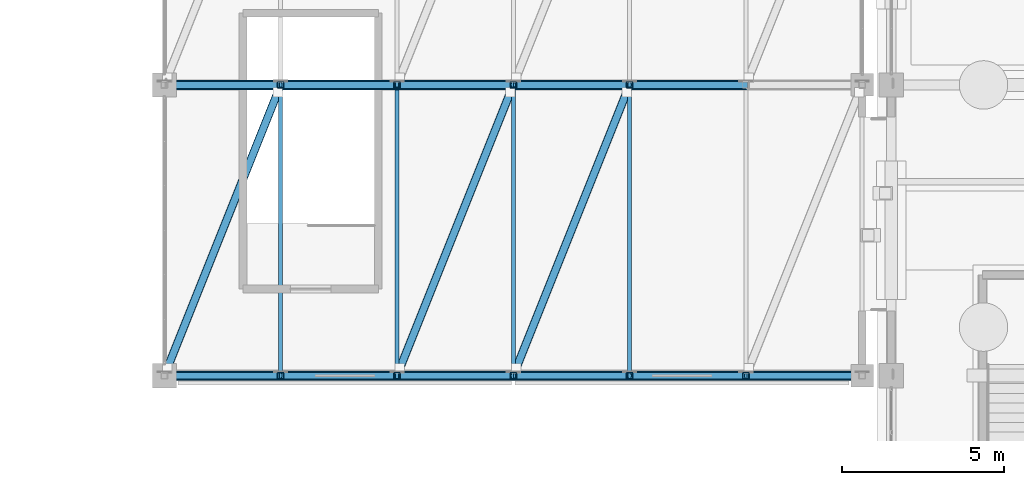
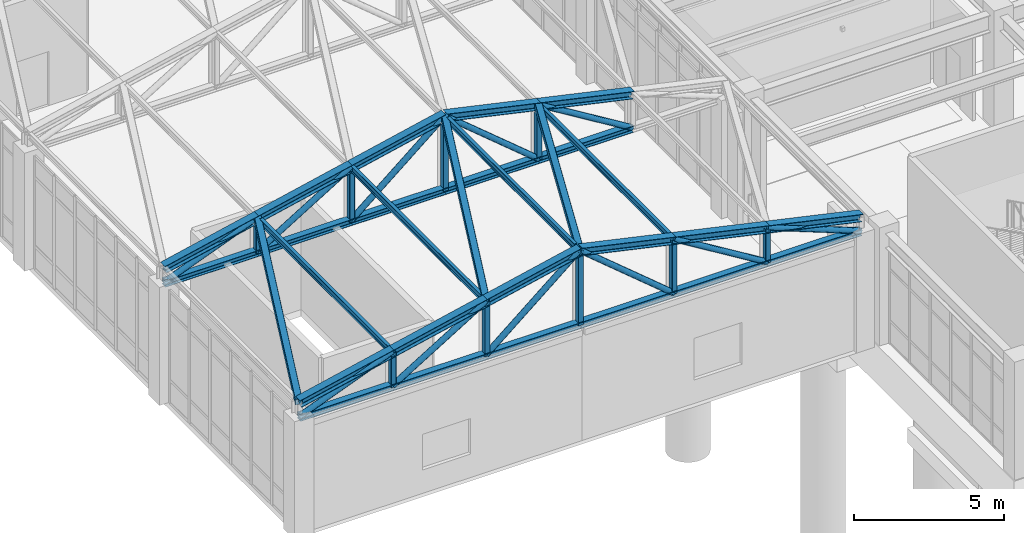
# One storey, part 41 of 139: 38 members, 11 beams.
"""IFC4 building model written with IfcOpenShell, lengths in metres."""

from ifc_helpers import new_model, si_unit, direction, frame, origin, origin_2d, place, context, subcontext, project, spatial, hollow_rectangle, hollow_circle, i_section, extrude, material, material_profile, profile_set, type_object, element, save


model = new_model("IFC4")

# Units and contexts
model_context = context("Model", 3, precision=1e-05, world=origin(), true_north=direction((0.0, 1.0)))
body_context = subcontext(model_context, "Body", "Model", "MODEL_VIEW")
ifc_project = project(units=[si_unit("LENGTHUNIT", "METRE"), si_unit("AREAUNIT", "SQUARE_METRE"), si_unit("VOLUMEUNIT", "CUBIC_METRE"), si_unit("PLANEANGLEUNIT", "RADIAN"), si_unit("MASSUNIT", "GRAM", prefix="KILO")], contexts=[model_context])

# Site, building, storey
site_placement = place(None, origin())
site = spatial("IfcSite", under=ifc_project, at=site_placement, CompositionType="ELEMENT")
building_placement = place(site_placement, origin())
building = spatial("IfcBuilding", under=site, at=building_placement, Name="Canglan Escarpment Cableway Terminal", CompositionType="ELEMENT")
storey_placement = place(building_placement, frame((0.0, 0.0, 14.39990234375)))
storey = spatial("IfcBuildingStorey", under=building, at=storey_placement, Name="L03", CompositionType="ELEMENT", Elevation=14.39990234375)

# Beams
ifc_material = material(Name="Steel Q355B", Category="steel")
ifc_material_profile_1 = material_profile(ifc_material, i_section(OverallWidth=0.300048828125, OverallDepth=0.300048828125, WebThickness=0.010009765625, FlangeThickness=0.014892578125, FilletRadius=0.01806640625, at=origin_2d()), Name="HW 300x300x10x15")
ifc_profile_set_1 = profile_set([ifc_material_profile_1], Name="Steel Q355B")
beam_type = type_object("IfcBeamType", Name="BM-PRATT-TOP-HW300", PredefinedType="BEAM", material=ifc_profile_set_1)
beam_1_placement = place(storey_placement, frame((115.10009765625, 43.0, 5.25), z_axis=(0.976182386713, 0.0, 0.216951487369), x_axis=(0.0, 1.0, 0.0)))
element("IfcBeam", 1, at=beam_1_placement, inside=storey, type_object=beam_type, Name="Cabin Garage ROOF TRUSS top chord PT-TC1", PredefinedType="BEAM", context=body_context, shape_type="SweptSolid", body=[
    extrude(i_section(OverallWidth=0.300048828125, OverallDepth=0.300048828125, WebThickness=0.010009765625, FlangeThickness=0.014892578125, FilletRadius=0.01806640625, at=origin_2d()), origin(), (0.0, 0.0, 1.0), 3.687744140625),
])
beam_2_placement = place(storey_placement, frame((118.699951171875, 43.0, 6.050048828125), z_axis=(0.976185502511, 0.0, 0.216937467227), x_axis=(0.0, 1.0, 0.0)))
element("IfcBeam", 2, at=beam_2_placement, inside=storey, type_object=beam_type, Name="Cabin Garage ROOF TRUSS top chord PT-TC1", PredefinedType="BEAM", context=body_context, shape_type="SweptSolid", body=[
    extrude(i_section(OverallWidth=0.300048828125, OverallDepth=0.300048828125, WebThickness=0.010009765625, FlangeThickness=0.014892578125, FilletRadius=0.01806640625, at=origin_2d()), origin(), (0.0, 0.0, 1.0), 3.68798828125),
])
beam_3_placement = place(storey_placement, frame((122.300048828125, 43.0, 6.85009765625), z_axis=(0.976182386713, 0.0, 0.216951487369), x_axis=(0.0, 1.0, 0.0)))
element("IfcBeam", 3, at=beam_3_placement, inside=storey, type_object=beam_type, Name="Cabin Garage ROOF TRUSS top chord PT-TC1", PredefinedType="BEAM", context=body_context, shape_type="SweptSolid", body=[
    extrude(i_section(OverallWidth=0.300048828125, OverallDepth=0.300048828125, WebThickness=0.010009765625, FlangeThickness=0.014892578125, FilletRadius=0.01806640625, at=origin_2d()), origin(), (0.0, 0.0, 1.0), 3.687744140625),
])
for number, where, z_axis, x_axis, name in (
    (4, (125.89990234375, 43.0, 7.650146484375), (0.976185502511, 0.0, -0.216937467227), (0.0, 1.0, 0.0), "Cabin Garage ROOF TRUSS top chord PT-TC1"),
    (5, (129.5, 43.0, 6.85009765625), (0.976185502511, 0.0, -0.216937467227), (0.0, 1.0, 0.0), "Cabin Garage ROOF TRUSS top chord PT-TC1"),
):
    element("IfcBeam", number, at=place(storey_placement, frame(where, z_axis=z_axis, x_axis=x_axis)), inside=storey, type_object=beam_type, Name=name, PredefinedType="BEAM", context=body_context, shape_type="SweptSolid", body=[
        extrude(i_section(OverallWidth=0.300048828125, OverallDepth=0.300048828125, WebThickness=0.010009765625, FlangeThickness=0.014892578125, FilletRadius=0.01806640625, at=origin_2d()), origin(), (0.0, 0.0, 1.0), 3.68798828125),
    ])
for number, where, z_axis, x_axis, name in (
    (6, (133.10009765625, 43.0, 6.050048828125), (0.976182386713, 0.0, -0.216951487369), (0.0, 1.0, 0.0), "Cabin Garage ROOF TRUSS top chord PT-TC1"),
    (7, (115.10009765625, 52.0, 5.25), (0.976182386713, 0.0, 0.216951487369), (0.0, 1.0, 0.0), "Cabin Garage ROOF TRUSS top chord PT-TC1"),
):
    element("IfcBeam", number, at=place(storey_placement, frame(where, z_axis=z_axis, x_axis=x_axis)), inside=storey, type_object=beam_type, Name=name, PredefinedType="BEAM", context=body_context, shape_type="SweptSolid", body=[
        extrude(i_section(OverallWidth=0.300048828125, OverallDepth=0.300048828125, WebThickness=0.010009765625, FlangeThickness=0.014892578125, FilletRadius=0.01806640625, at=origin_2d()), origin(), (0.0, 0.0, 1.0), 3.687744140625),
    ])
beam_4_placement = place(storey_placement, frame((118.699951171875, 52.0, 6.050048828125), z_axis=(0.976185502511, 0.0, 0.216937467227), x_axis=(0.0, 1.0, 0.0)))
element("IfcBeam", 8, at=beam_4_placement, inside=storey, type_object=beam_type, Name="Cabin Garage ROOF TRUSS top chord PT-TC1", PredefinedType="BEAM", context=body_context, shape_type="SweptSolid", body=[
    extrude(i_section(OverallWidth=0.300048828125, OverallDepth=0.300048828125, WebThickness=0.010009765625, FlangeThickness=0.014892578125, FilletRadius=0.01806640625, at=origin_2d()), origin(), (0.0, 0.0, 1.0), 3.68798828125),
])
beam_5_placement = place(storey_placement, frame((122.300048828125, 52.0, 6.85009765625), z_axis=(0.976182386713, 0.0, 0.216951487369), x_axis=(0.0, 1.0, 0.0)))
element("IfcBeam", 9, at=beam_5_placement, inside=storey, type_object=beam_type, Name="Cabin Garage ROOF TRUSS top chord PT-TC1", PredefinedType="BEAM", context=body_context, shape_type="SweptSolid", body=[
    extrude(i_section(OverallWidth=0.300048828125, OverallDepth=0.300048828125, WebThickness=0.010009765625, FlangeThickness=0.014892578125, FilletRadius=0.01806640625, at=origin_2d()), origin(), (0.0, 0.0, 1.0), 3.687744140625),
])
for number, where, z_axis, x_axis, name in (
    (10, (125.89990234375, 52.0, 7.650146484375), (0.976185502511, 0.0, -0.216937467227), (0.0, 1.0, 0.0), "Cabin Garage ROOF TRUSS top chord PT-TC1"),
    (11, (129.5, 52.0, 6.85009765625), (0.976185502511, 0.0, -0.216937467227), (0.0, 1.0, 0.0), "Cabin Garage ROOF TRUSS top chord PT-TC1"),
):
    element("IfcBeam", number, at=place(storey_placement, frame(where, z_axis=z_axis, x_axis=x_axis)), inside=storey, type_object=beam_type, Name=name, PredefinedType="BEAM", context=body_context, shape_type="SweptSolid", body=[
        extrude(i_section(OverallWidth=0.300048828125, OverallDepth=0.300048828125, WebThickness=0.010009765625, FlangeThickness=0.014892578125, FilletRadius=0.01806640625, at=origin_2d()), origin(), (0.0, 0.0, 1.0), 3.68798828125),
    ])

# Members
ifc_material_profile_2 = material_profile(ifc_material, hollow_rectangle(XDim=0.25, YDim=0.25, WallThickness=0.010009765625, InnerFilletRadius=0.010009765625, OuterFilletRadius=0.02001953125, at=origin_2d()), Name="SHS 250x250x10")
ifc_profile_set_2 = profile_set([ifc_material_profile_2], Name="Steel Q355B")
member_type_1 = type_object("IfcMemberType", Name="MB-FRAME-BR-SHS250", PredefinedType="BRACE", material=ifc_profile_set_2)
for number, where, z_axis, x_axis, name in (
    (12, (115.10009765625, 43.0, 5.25), (0.37011910414, 0.925335412344, 0.082257056919), (-0.928481901832, 0.371377648723, 0.0), "Cabin Garage roof lateral brace BR-02"),
    (13, (122.300048828125, 43.0, 6.85009765625), (0.37011910414, 0.925335412344, 0.082257056919), (-0.928481901832, 0.371377648723, 0.0), "Cabin Garage roof lateral brace BR-02"),
    (14, (125.89990234375, 43.0, 7.650146484375), (0.370140766583, 0.925326815361, -0.082256292696), (-0.928473216852, 0.37139936132, 0.0), "Cabin Garage roof lateral brace BR-02"),
):
    element("IfcMember", number, at=place(storey_placement, frame(where, z_axis=z_axis, x_axis=x_axis)), inside=storey, type_object=member_type_1, Name=name, PredefinedType="BRACE", context=body_context, shape_type="SweptSolid", body=[
        extrude(hollow_rectangle(XDim=0.25, YDim=0.25, WallThickness=0.010009765625, InnerFilletRadius=0.010009765625, OuterFilletRadius=0.02001953125, at=origin_2d()), origin(), (0.0, 0.0, 1.0), 9.726318359375),
    ])
ifc_material_profile_3 = material_profile(ifc_material, i_section(OverallWidth=0.125, OverallDepth=0.25, WebThickness=0.006103515625, FlangeThickness=0.009033203125, FilletRadius=0.011962890625, at=origin_2d()), Name="HN 250x125x6x9")
ifc_profile_set_3 = profile_set([ifc_material_profile_3], Name="Steel Q355B")
member_type_2 = type_object("IfcMemberType", Name="MB-GARAGE-PUR-HN250", PredefinedType="PURLIN", material=ifc_profile_set_3)
for number, where, z_axis, x_axis, name in (
    (15, (118.699951171875, 43.0, 6.030029296875), (0.0, 1.0, 0.0), (-1.0, 0.0, 0.0), "Cabin Garage roof purlin PR-02"),
    (16, (122.300048828125, 43.0, 6.830078125), (0.0, 1.0, 0.0), (-1.0, 0.0, 0.0), "Cabin Garage roof purlin PR-02"),
    (17, (125.89990234375, 43.0, 7.630126953125), (0.0, 1.0, 0.0), (-1.0, 0.0, 0.0), "Cabin Garage roof purlin PR-02"),
    (18, (129.5, 43.0, 6.830078125), (0.0, 1.0, 0.0), (-1.0, 0.0, 0.0), "Cabin Garage roof purlin PR-02"),
):
    element("IfcMember", number, at=place(storey_placement, frame(where, z_axis=z_axis, x_axis=x_axis)), inside=storey, type_object=member_type_2, Name=name, PredefinedType="PURLIN", context=body_context, shape_type="SweptSolid", body=[
        extrude(i_section(OverallWidth=0.125, OverallDepth=0.25, WebThickness=0.006103515625, FlangeThickness=0.009033203125, FilletRadius=0.011962890625, at=origin_2d()), origin(), (0.0, 0.0, 1.0), 9.0),
    ])
ifc_material_profile_4 = material_profile(ifc_material, i_section(OverallWidth=0.25, OverallDepth=0.25, WebThickness=0.009033203125, FlangeThickness=0.013916015625, FilletRadius=0.01611328125, at=origin_2d()), Name="HW 250x250x9x14")
ifc_profile_set_4 = profile_set([ifc_material_profile_4], Name="Steel Q355B")
member_type_3 = type_object("IfcMemberType", Name="MB-PRATT-BOT-HW250", PredefinedType="CHORD", material=ifc_profile_set_4)
member_1_placement = place(storey_placement, frame((115.10009765625, 43.0, 4.650146484375), z_axis=(1.0, 0.0, 0.0), x_axis=(0.0, 1.0, 0.0)))
element("IfcMember", 19, at=member_1_placement, inside=storey, type_object=member_type_3, Name="Cabin Garage ROOF TRUSS bottom chord PT-BC1", PredefinedType="CHORD", context=body_context, shape_type="SweptSolid", body=[
    extrude(i_section(OverallWidth=0.25, OverallDepth=0.25, WebThickness=0.009033203125, FlangeThickness=0.013916015625, FilletRadius=0.01611328125, at=origin_2d()), origin(), (0.0, 0.0, 1.0), 3.599853515625),
])
member_2_placement = place(storey_placement, frame((118.699951171875, 43.0, 4.650146484375), z_axis=(1.0, 0.0, 0.0), x_axis=(0.0, 1.0, 0.0)))
element("IfcMember", 20, at=member_2_placement, inside=storey, type_object=member_type_3, Name="Cabin Garage ROOF TRUSS bottom chord PT-BC1", PredefinedType="CHORD", context=body_context, shape_type="SweptSolid", body=[
    extrude(i_section(OverallWidth=0.25, OverallDepth=0.25, WebThickness=0.009033203125, FlangeThickness=0.013916015625, FilletRadius=0.01611328125, at=origin_2d()), origin(), (0.0, 0.0, 1.0), 3.60009765625),
])
member_3_placement = place(storey_placement, frame((122.300048828125, 43.0, 4.650146484375), z_axis=(1.0, 0.0, 0.0), x_axis=(0.0, 1.0, 0.0)))
element("IfcMember", 21, at=member_3_placement, inside=storey, type_object=member_type_3, Name="Cabin Garage ROOF TRUSS bottom chord PT-BC1", PredefinedType="CHORD", context=body_context, shape_type="SweptSolid", body=[
    extrude(i_section(OverallWidth=0.25, OverallDepth=0.25, WebThickness=0.009033203125, FlangeThickness=0.013916015625, FilletRadius=0.01611328125, at=origin_2d()), origin(), (0.0, 0.0, 1.0), 3.599853515625),
])
for number, where, z_axis, x_axis, name in (
    (22, (125.89990234375, 43.0, 4.650146484375), (1.0, 0.0, 0.0), (0.0, 1.0, 0.0), "Cabin Garage ROOF TRUSS bottom chord PT-BC1"),
    (23, (129.5, 43.0, 4.650146484375), (1.0, 0.0, 0.0), (0.0, 1.0, 0.0), "Cabin Garage ROOF TRUSS bottom chord PT-BC1"),
):
    element("IfcMember", number, at=place(storey_placement, frame(where, z_axis=z_axis, x_axis=x_axis)), inside=storey, type_object=member_type_3, Name=name, PredefinedType="CHORD", context=body_context, shape_type="SweptSolid", body=[
        extrude(i_section(OverallWidth=0.25, OverallDepth=0.25, WebThickness=0.009033203125, FlangeThickness=0.013916015625, FilletRadius=0.01611328125, at=origin_2d()), origin(), (0.0, 0.0, 1.0), 3.60009765625),
    ])
for number, where, z_axis, x_axis, name in (
    (24, (133.10009765625, 43.0, 4.650146484375), (1.0, 0.0, 0.0), (0.0, 1.0, 0.0), "Cabin Garage ROOF TRUSS bottom chord PT-BC1"),
    (25, (115.10009765625, 52.0, 4.650146484375), (1.0, 0.0, 0.0), (0.0, 1.0, 0.0), "Cabin Garage ROOF TRUSS bottom chord PT-BC1"),
):
    element("IfcMember", number, at=place(storey_placement, frame(where, z_axis=z_axis, x_axis=x_axis)), inside=storey, type_object=member_type_3, Name=name, PredefinedType="CHORD", context=body_context, shape_type="SweptSolid", body=[
        extrude(i_section(OverallWidth=0.25, OverallDepth=0.25, WebThickness=0.009033203125, FlangeThickness=0.013916015625, FilletRadius=0.01611328125, at=origin_2d()), origin(), (0.0, 0.0, 1.0), 3.599853515625),
    ])
member_4_placement = place(storey_placement, frame((118.699951171875, 52.0, 4.650146484375), z_axis=(1.0, 0.0, 0.0), x_axis=(0.0, 1.0, 0.0)))
element("IfcMember", 26, at=member_4_placement, inside=storey, type_object=member_type_3, Name="Cabin Garage ROOF TRUSS bottom chord PT-BC1", PredefinedType="CHORD", context=body_context, shape_type="SweptSolid", body=[
    extrude(i_section(OverallWidth=0.25, OverallDepth=0.25, WebThickness=0.009033203125, FlangeThickness=0.013916015625, FilletRadius=0.01611328125, at=origin_2d()), origin(), (0.0, 0.0, 1.0), 3.60009765625),
])
member_5_placement = place(storey_placement, frame((122.300048828125, 52.0, 4.650146484375), z_axis=(1.0, 0.0, 0.0), x_axis=(0.0, 1.0, 0.0)))
element("IfcMember", 27, at=member_5_placement, inside=storey, type_object=member_type_3, Name="Cabin Garage ROOF TRUSS bottom chord PT-BC1", PredefinedType="CHORD", context=body_context, shape_type="SweptSolid", body=[
    extrude(i_section(OverallWidth=0.25, OverallDepth=0.25, WebThickness=0.009033203125, FlangeThickness=0.013916015625, FilletRadius=0.01611328125, at=origin_2d()), origin(), (0.0, 0.0, 1.0), 3.599853515625),
])
for number, where, z_axis, x_axis, name in (
    (28, (125.89990234375, 52.0, 4.650146484375), (1.0, 0.0, 0.0), (0.0, 1.0, 0.0), "Cabin Garage ROOF TRUSS bottom chord PT-BC1"),
    (29, (129.5, 52.0, 4.650146484375), (1.0, 0.0, 0.0), (0.0, 1.0, 0.0), "Cabin Garage ROOF TRUSS bottom chord PT-BC1"),
):
    element("IfcMember", number, at=place(storey_placement, frame(where, z_axis=z_axis, x_axis=x_axis)), inside=storey, type_object=member_type_3, Name=name, PredefinedType="CHORD", context=body_context, shape_type="SweptSolid", body=[
        extrude(i_section(OverallWidth=0.25, OverallDepth=0.25, WebThickness=0.009033203125, FlangeThickness=0.013916015625, FilletRadius=0.01611328125, at=origin_2d()), origin(), (0.0, 0.0, 1.0), 3.60009765625),
    ])
ifc_material_profile_5 = material_profile(ifc_material, hollow_circle(Radius=0.109619140625, WallThickness=0.008056640625, at=origin_2d()), Name="CHS 219.1x8")
ifc_profile_set_5 = profile_set([ifc_material_profile_5], Name="Steel Q355B")
member_type_4 = type_object("IfcMemberType", Name="MB-PRATT-DIAG-CHS219", PredefinedType="BRACE", material=ifc_profile_set_5)
member_6_placement = place(storey_placement, frame((115.10009765625, 43.0, 4.650146484375), z_axis=(0.932008230148, 0.0, 0.36243711032), x_axis=(0.0, 1.0, 0.0)))
element("IfcMember", 30, at=member_6_placement, inside=storey, type_object=member_type_4, Name="Cabin Garage ROOF TRUSS diagonal PT-DG1", PredefinedType="BRACE", context=body_context, shape_type="SweptSolid", body=[
    extrude(hollow_circle(Radius=0.109619140625, WallThickness=0.008056640625, at=origin_2d()), origin(), (0.0, 0.0, 1.0), 3.862548828125),
])
member_7_placement = place(storey_placement, frame((118.699951171875, 43.0, 4.650146484375), z_axis=(0.853293276627, 0.0, 0.521431284124), x_axis=(0.0, 1.0, 0.0)))
element("IfcMember", 31, at=member_7_placement, inside=storey, type_object=member_type_4, Name="Cabin Garage ROOF TRUSS diagonal PT-DG1", PredefinedType="BRACE", context=body_context, shape_type="SweptSolid", body=[
    extrude(hollow_circle(Radius=0.109619140625, WallThickness=0.008056640625, at=origin_2d()), origin(), (0.0, 0.0, 1.0), 4.218994140625),
])
member_8_placement = place(storey_placement, frame((122.300048828125, 43.0, 4.650146484375), z_axis=(0.768208468069, 0.0, 0.640199773186), x_axis=(0.0, 1.0, 0.0)))
element("IfcMember", 32, at=member_8_placement, inside=storey, type_object=member_type_4, Name="Cabin Garage ROOF TRUSS diagonal PT-DG1", PredefinedType="BRACE", context=body_context, shape_type="SweptSolid", body=[
    extrude(hollow_circle(Radius=0.109619140625, WallThickness=0.008056640625, at=origin_2d()), origin(), (0.0, 0.0, 1.0), 4.68603515625),
])
member_9_placement = place(storey_placement, frame((125.89990234375, 43.0, 7.650146484375), z_axis=(0.768229820104, 0.0, -0.640174150918), x_axis=(0.0, 1.0, 0.0)))
element("IfcMember", 33, at=member_9_placement, inside=storey, type_object=member_type_4, Name="Cabin Garage ROOF TRUSS diagonal PT-DG1", PredefinedType="BRACE", context=body_context, shape_type="SweptSolid", body=[
    extrude(hollow_circle(Radius=0.109619140625, WallThickness=0.008056640625, at=origin_2d()), origin(), (0.0, 0.0, 1.0), 4.686279296875),
])
member_10_placement = place(storey_placement, frame((129.5, 43.0, 6.85009765625), z_axis=(0.853293276627, 0.0, -0.521431284124), x_axis=(0.0, 1.0, 0.0)))
element("IfcMember", 34, at=member_10_placement, inside=storey, type_object=member_type_4, Name="Cabin Garage ROOF TRUSS diagonal PT-DG1", PredefinedType="BRACE", context=body_context, shape_type="SweptSolid", body=[
    extrude(hollow_circle(Radius=0.109619140625, WallThickness=0.008056640625, at=origin_2d()), origin(), (0.0, 0.0, 1.0), 4.218994140625),
])
for number, where, z_axis, x_axis, name in (
    (35, (133.10009765625, 43.0, 6.050048828125), (0.932008230148, 0.0, -0.36243711032), (0.0, 1.0, 0.0), "Cabin Garage ROOF TRUSS diagonal PT-DG1"),
    (36, (115.10009765625, 52.0, 4.650146484375), (0.932008230148, 0.0, 0.36243711032), (0.0, 1.0, 0.0), "Cabin Garage ROOF TRUSS diagonal PT-DG1"),
):
    element("IfcMember", number, at=place(storey_placement, frame(where, z_axis=z_axis, x_axis=x_axis)), inside=storey, type_object=member_type_4, Name=name, PredefinedType="BRACE", context=body_context, shape_type="SweptSolid", body=[
        extrude(hollow_circle(Radius=0.109619140625, WallThickness=0.008056640625, at=origin_2d()), origin(), (0.0, 0.0, 1.0), 3.862548828125),
    ])
member_11_placement = place(storey_placement, frame((118.699951171875, 52.0, 4.650146484375), z_axis=(0.853293276627, 0.0, 0.521431284124), x_axis=(0.0, 1.0, 0.0)))
element("IfcMember", 37, at=member_11_placement, inside=storey, type_object=member_type_4, Name="Cabin Garage ROOF TRUSS diagonal PT-DG1", PredefinedType="BRACE", context=body_context, shape_type="SweptSolid", body=[
    extrude(hollow_circle(Radius=0.109619140625, WallThickness=0.008056640625, at=origin_2d()), origin(), (0.0, 0.0, 1.0), 4.218994140625),
])
member_12_placement = place(storey_placement, frame((122.300048828125, 52.0, 4.650146484375), z_axis=(0.768208468069, 0.0, 0.640199773186), x_axis=(0.0, 1.0, 0.0)))
element("IfcMember", 38, at=member_12_placement, inside=storey, type_object=member_type_4, Name="Cabin Garage ROOF TRUSS diagonal PT-DG1", PredefinedType="BRACE", context=body_context, shape_type="SweptSolid", body=[
    extrude(hollow_circle(Radius=0.109619140625, WallThickness=0.008056640625, at=origin_2d()), origin(), (0.0, 0.0, 1.0), 4.68603515625),
])
member_13_placement = place(storey_placement, frame((125.89990234375, 52.0, 7.650146484375), z_axis=(0.768229820104, 0.0, -0.640174150918), x_axis=(0.0, 1.0, 0.0)))
element("IfcMember", 39, at=member_13_placement, inside=storey, type_object=member_type_4, Name="Cabin Garage ROOF TRUSS diagonal PT-DG1", PredefinedType="BRACE", context=body_context, shape_type="SweptSolid", body=[
    extrude(hollow_circle(Radius=0.109619140625, WallThickness=0.008056640625, at=origin_2d()), origin(), (0.0, 0.0, 1.0), 4.686279296875),
])
member_14_placement = place(storey_placement, frame((129.5, 52.0, 6.85009765625), z_axis=(0.853293276627, 0.0, -0.521431284124), x_axis=(0.0, 1.0, 0.0)))
element("IfcMember", 40, at=member_14_placement, inside=storey, type_object=member_type_4, Name="Cabin Garage ROOF TRUSS diagonal PT-DG1", PredefinedType="BRACE", context=body_context, shape_type="SweptSolid", body=[
    extrude(hollow_circle(Radius=0.109619140625, WallThickness=0.008056640625, at=origin_2d()), origin(), (0.0, 0.0, 1.0), 4.218994140625),
])
ifc_material_profile_6 = material_profile(ifc_material, hollow_rectangle(XDim=0.199951171875, YDim=0.199951171875, WallThickness=0.008056640625, InnerFilletRadius=0.008056640625, OuterFilletRadius=0.01611328125, at=origin_2d()), Name="SHS 200x200x8")
ifc_profile_set_6 = profile_set([ifc_material_profile_6], Name="Steel Q355B")
member_type_5 = type_object("IfcMemberType", Name="MB-PRATT-WEB-SHS200", PredefinedType="BRACE", material=ifc_profile_set_6)
member_15_placement = place(storey_placement, frame((118.699951171875, 43.0, 4.650146484375), z_axis=(0.0, 0.0, 1.0), x_axis=(1.0, 0.0, 0.0)))
element("IfcMember", 41, at=member_15_placement, inside=storey, type_object=member_type_5, Name="Cabin Garage ROOF TRUSS strut PT-WB1", PredefinedType="BRACE", context=body_context, shape_type="SweptSolid", body=[
    extrude(hollow_rectangle(XDim=0.199951171875, YDim=0.199951171875, WallThickness=0.008056640625, InnerFilletRadius=0.008056640625, OuterFilletRadius=0.01611328125, at=origin_2d()), origin(), (0.0, 0.0, 1.0), 1.39990234375),
])
member_16_placement = place(storey_placement, frame((122.300048828125, 43.0, 4.650146484375), z_axis=(0.0, 0.0, 1.0), x_axis=(1.0, 0.0, 0.0)))
element("IfcMember", 42, at=member_16_placement, inside=storey, type_object=member_type_5, Name="Cabin Garage ROOF TRUSS strut PT-WB1", PredefinedType="BRACE", context=body_context, shape_type="SweptSolid", body=[
    extrude(hollow_rectangle(XDim=0.199951171875, YDim=0.199951171875, WallThickness=0.008056640625, InnerFilletRadius=0.008056640625, OuterFilletRadius=0.01611328125, at=origin_2d()), origin(), (0.0, 0.0, 1.0), 2.199951171875),
])
member_17_placement = place(storey_placement, frame((125.89990234375, 43.0, 4.650146484375), z_axis=(0.0, 0.0, 1.0), x_axis=(1.0, 0.0, 0.0)))
element("IfcMember", 43, at=member_17_placement, inside=storey, type_object=member_type_5, Name="Cabin Garage ROOF TRUSS strut PT-WB1", PredefinedType="BRACE", context=body_context, shape_type="SweptSolid", body=[
    extrude(hollow_rectangle(XDim=0.199951171875, YDim=0.199951171875, WallThickness=0.008056640625, InnerFilletRadius=0.008056640625, OuterFilletRadius=0.01611328125, at=origin_2d()), origin(), (0.0, 0.0, 1.0), 3.0),
])
member_18_placement = place(storey_placement, frame((129.5, 43.0, 4.650146484375), z_axis=(0.0, 0.0, 1.0), x_axis=(1.0, 0.0, 0.0)))
element("IfcMember", 44, at=member_18_placement, inside=storey, type_object=member_type_5, Name="Cabin Garage ROOF TRUSS strut PT-WB1", PredefinedType="BRACE", context=body_context, shape_type="SweptSolid", body=[
    extrude(hollow_rectangle(XDim=0.199951171875, YDim=0.199951171875, WallThickness=0.008056640625, InnerFilletRadius=0.008056640625, OuterFilletRadius=0.01611328125, at=origin_2d()), origin(), (0.0, 0.0, 1.0), 2.199951171875),
])
for number, where, z_axis, x_axis, name in (
    (45, (133.10009765625, 43.0, 4.650146484375), (0.0, 0.0, 1.0), (1.0, 0.0, 0.0), "Cabin Garage ROOF TRUSS strut PT-WB1"),
    (46, (118.699951171875, 52.0, 4.650146484375), (0.0, 0.0, 1.0), (1.0, 0.0, 0.0), "Cabin Garage ROOF TRUSS strut PT-WB1"),
):
    element("IfcMember", number, at=place(storey_placement, frame(where, z_axis=z_axis, x_axis=x_axis)), inside=storey, type_object=member_type_5, Name=name, PredefinedType="BRACE", context=body_context, shape_type="SweptSolid", body=[
        extrude(hollow_rectangle(XDim=0.199951171875, YDim=0.199951171875, WallThickness=0.008056640625, InnerFilletRadius=0.008056640625, OuterFilletRadius=0.01611328125, at=origin_2d()), origin(), (0.0, 0.0, 1.0), 1.39990234375),
    ])
member_19_placement = place(storey_placement, frame((122.300048828125, 52.0, 4.650146484375), z_axis=(0.0, 0.0, 1.0), x_axis=(1.0, 0.0, 0.0)))
element("IfcMember", 47, at=member_19_placement, inside=storey, type_object=member_type_5, Name="Cabin Garage ROOF TRUSS strut PT-WB1", PredefinedType="BRACE", context=body_context, shape_type="SweptSolid", body=[
    extrude(hollow_rectangle(XDim=0.199951171875, YDim=0.199951171875, WallThickness=0.008056640625, InnerFilletRadius=0.008056640625, OuterFilletRadius=0.01611328125, at=origin_2d()), origin(), (0.0, 0.0, 1.0), 2.199951171875),
])
member_20_placement = place(storey_placement, frame((125.89990234375, 52.0, 4.650146484375), z_axis=(0.0, 0.0, 1.0), x_axis=(1.0, 0.0, 0.0)))
element("IfcMember", 48, at=member_20_placement, inside=storey, type_object=member_type_5, Name="Cabin Garage ROOF TRUSS strut PT-WB1", PredefinedType="BRACE", context=body_context, shape_type="SweptSolid", body=[
    extrude(hollow_rectangle(XDim=0.199951171875, YDim=0.199951171875, WallThickness=0.008056640625, InnerFilletRadius=0.008056640625, OuterFilletRadius=0.01611328125, at=origin_2d()), origin(), (0.0, 0.0, 1.0), 3.0),
])
member_21_placement = place(storey_placement, frame((129.5, 52.0, 4.650146484375), z_axis=(0.0, 0.0, 1.0), x_axis=(1.0, 0.0, 0.0)))
element("IfcMember", 49, at=member_21_placement, inside=storey, type_object=member_type_5, Name="Cabin Garage ROOF TRUSS strut PT-WB1", PredefinedType="BRACE", context=body_context, shape_type="SweptSolid", body=[
    extrude(hollow_rectangle(XDim=0.199951171875, YDim=0.199951171875, WallThickness=0.008056640625, InnerFilletRadius=0.008056640625, OuterFilletRadius=0.01611328125, at=origin_2d()), origin(), (0.0, 0.0, 1.0), 2.199951171875),
])

save(model, "model.ifc")
